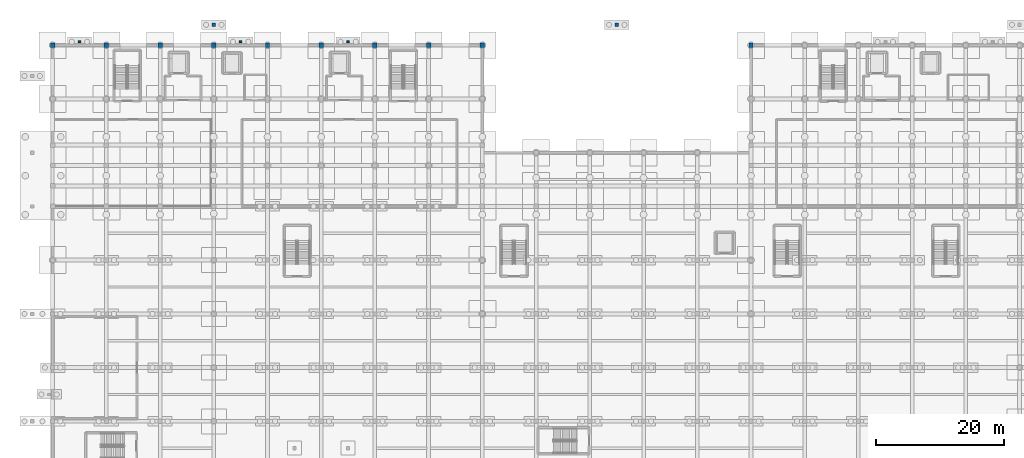
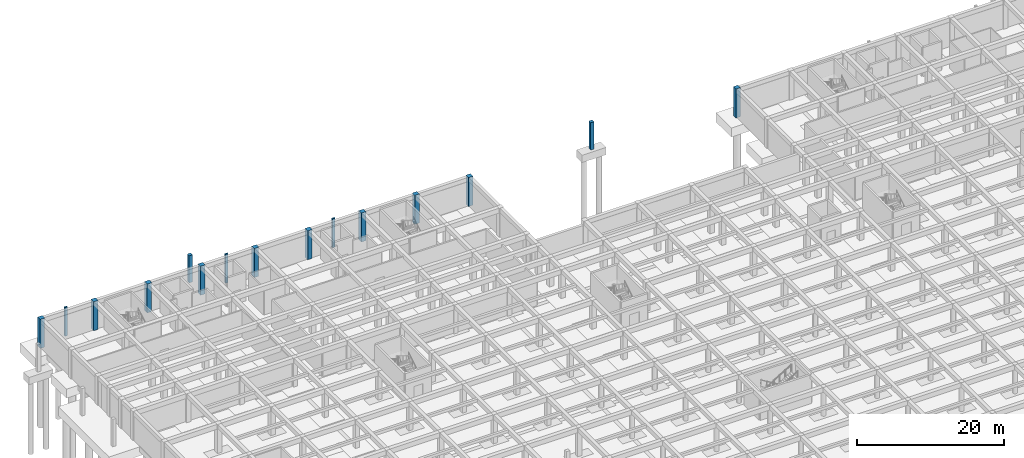
# One storey, part 13 of 51: 15 columns.
"""IFC4 building model written with IfcOpenShell, lengths in metres."""

from ifc_helpers import new_model, si_unit, direction, frame, origin, origin_2d, place, context, subcontext, project, spatial, rectangle, extrude, material, material_profile, profile_set, type_object, element, save


model = new_model("IFC4")

# Units and contexts
model_context = context("Model", 3, precision=1e-05, world=origin(), true_north=direction((0.0, 1.0)))
body_context = subcontext(model_context, "Body", "Model", "MODEL_VIEW")
ifc_project = project(units=[si_unit("LENGTHUNIT", "METRE"), si_unit("AREAUNIT", "SQUARE_METRE"), si_unit("VOLUMEUNIT", "CUBIC_METRE"), si_unit("PLANEANGLEUNIT", "RADIAN"), si_unit("MASSUNIT", "GRAM", prefix="KILO")], contexts=[model_context])

# Site, building, storey
site_placement = place(None, origin())
site = spatial("IfcSite", under=ifc_project, at=site_placement, CompositionType="ELEMENT")
building_placement = place(site_placement, origin())
building = spatial("IfcBuilding", under=site, at=building_placement, Name="Varncliffe General Hospital", CompositionType="ELEMENT")
storey_placement = place(building_placement, frame((0.0, 0.0, -4.800048828125)))
storey = spatial("IfcBuildingStorey", under=building, at=storey_placement, Name="B1", CompositionType="ELEMENT", Elevation=-4.800048828125)

# Columns
ifc_material_1 = material(Name="Concrete C40/50 (CSA A23.1 40 MPa)", Category="concrete")
ifc_material_profile_1 = material_profile(ifc_material_1, rectangle(XDim=0.699951171875, YDim=0.699951171875, at=origin_2d()), Name="RC 700x700")
ifc_profile_set_1 = profile_set([ifc_material_profile_1], Name="Concrete C40/50 (CSA A23.1 40 MPa)")
column_type_1 = type_object("IfcColumnType", Name="Column C54 (Ext RC 700x700)", PredefinedType="COLUMN", material=ifc_profile_set_1)
for number, where, z_axis, x_axis, name in (
    (1, (0.0, 124.800048828125, 0.0), (0.0, 0.0, 1.0), (1.0, 0.0, 0.0), "B1 Column C54"),
    (2, (8.39990234375, 124.800048828125, 0.0), (0.0, 0.0, 1.0), (1.0, 0.0, 0.0), "B1 Column C54"),
    (3, (16.800048828125, 124.800048828125, 0.0), (0.0, 0.0, 1.0), (1.0, 0.0, 0.0), "B1 Column C54"),
    (4, (25.199951171875, 124.800048828125, 0.0), (0.0, 0.0, 1.0), (1.0, 0.0, 0.0), "B1 Column C54"),
    (5, (33.60009765625, 124.800048828125, 0.0), (0.0, 0.0, 1.0), (1.0, 0.0, 0.0), "B1 Column C54"),
    (6, (42.0, 124.800048828125, 0.0), (0.0, 0.0, 1.0), (1.0, 0.0, 0.0), "B1 Column C54"),
    (7, (50.39990234375, 124.800048828125, 0.0), (0.0, 0.0, 1.0), (1.0, 0.0, 0.0), "B1 Column C54"),
    (8, (58.800048828125, 124.800048828125, 0.0), (0.0, 0.0, 1.0), (1.0, 0.0, 0.0), "B1 Column C54"),
    (9, (67.199951171875, 124.800048828125, 0.0), (0.0, 0.0, 1.0), (1.0, 0.0, 0.0), "B1 Column C54"),
    (10, (109.199951171875, 124.800048828125, 0.0), (0.0, 0.0, 1.0), (1.0, 0.0, 0.0), "B1 Column C54"),
):
    element("IfcColumn", number, at=place(storey_placement, frame(where, z_axis=z_axis, x_axis=x_axis)), inside=storey, type_object=column_type_1, Name=name, PredefinedType="COLUMN", context=body_context, shape_type="SweptSolid", body=[
        extrude(rectangle(XDim=0.699951171875, YDim=0.699951171875, at=origin_2d()), origin(), (0.0, 0.0, 1.0), 4.800048828125),
    ])
ifc_material_profile_2 = material_profile(ifc_material_1, rectangle(XDim=0.5, YDim=0.5, at=origin_2d()), Name="RC 500x500")
ifc_profile_set_2 = profile_set([ifc_material_profile_2], Name="Concrete C40/50 (CSA A23.1 40 MPa)")
column_type_2 = type_object("IfcColumnType", Name="Column C65 (Ext RC 500x500)", PredefinedType="COLUMN", material=ifc_profile_set_2)
for number, where, z_axis, x_axis, name in (
    (11, (25.199951171875, 128.0, 0.0), (0.0, 0.0, 1.0), (1.0, 0.0, 0.0), "B1 Perimeter Walkway Support Pier"),
    (12, (88.199951171875, 128.0, 0.0), (0.0, 0.0, 1.0), (1.0, 0.0, 0.0), "B1 Perimeter Walkway Support Pier"),
):
    element("IfcColumn", number, at=place(storey_placement, frame(where, z_axis=z_axis, x_axis=x_axis)), inside=storey, type_object=column_type_2, Name=name, PredefinedType="COLUMN", context=body_context, shape_type="SweptSolid", body=[
        extrude(rectangle(XDim=0.5, YDim=0.5, at=origin_2d()), origin(), (0.0, 0.0, 1.0), 4.52001953125),
    ])
ifc_material_2 = material(Name="Precast concrete C40/50", Category="concrete")
ifc_material_profile_3 = material_profile(ifc_material_2, rectangle(XDim=0.39990234375, YDim=0.25, at=origin_2d()), Name="PIL 400x250")
ifc_profile_set_3 = profile_set([ifc_material_profile_3], Name="Precast concrete C40/50")
column_type_3 = type_object("IfcColumnType", Name="Pilaster PL17 (PIL 400x250)", PredefinedType="PILASTER", material=ifc_profile_set_3)
for number, where, z_axis, x_axis, name in (
    (13, (4.199951171875, 125.35009765625, 0.0), (0.0, 0.0, 1.0), (1.0, 0.0, 0.0), "B1 Facade Pilaster PL17-12"),
    (14, (29.39990234375, 125.35009765625, 0.0), (0.0, 0.0, 1.0), (1.0, 0.0, 0.0), "B1 Facade Pilaster PL17-13"),
    (15, (46.199951171875, 125.35009765625, 0.0), (0.0, 0.0, 1.0), (1.0, 0.0, 0.0), "B1 Facade Pilaster PL17-14"),
):
    element("IfcColumn", number, at=place(storey_placement, frame(where, z_axis=z_axis, x_axis=x_axis)), inside=storey, type_object=column_type_3, Name=name, PredefinedType="PILASTER", context=body_context, shape_type="SweptSolid", body=[
        extrude(rectangle(XDim=0.39990234375, YDim=0.25, at=origin_2d()), origin(), (0.0, 0.0, 1.0), 4.800048828125),
    ])

save(model, "model.ifc")
